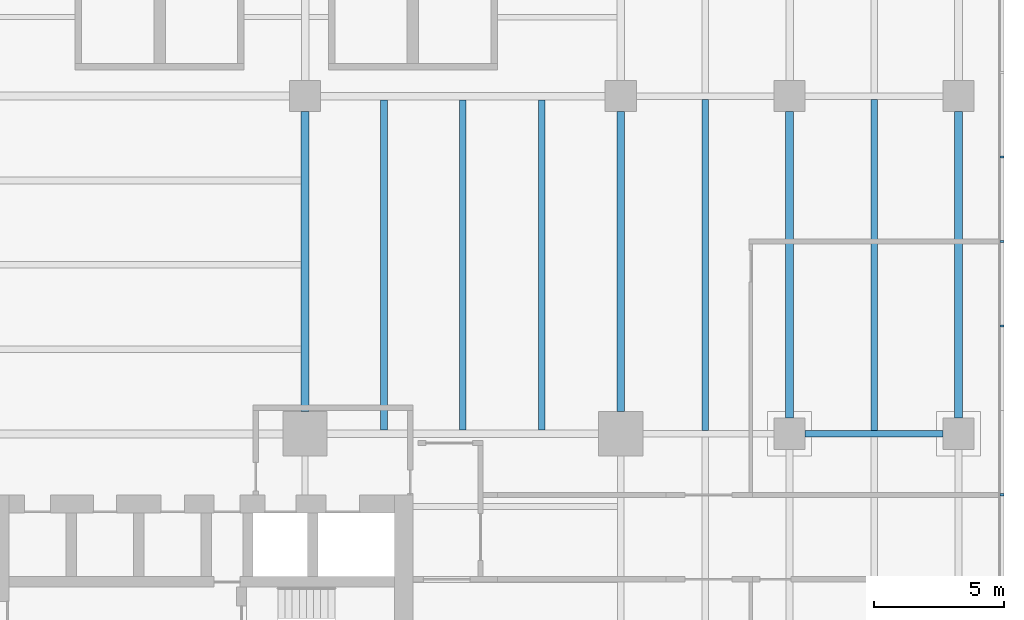
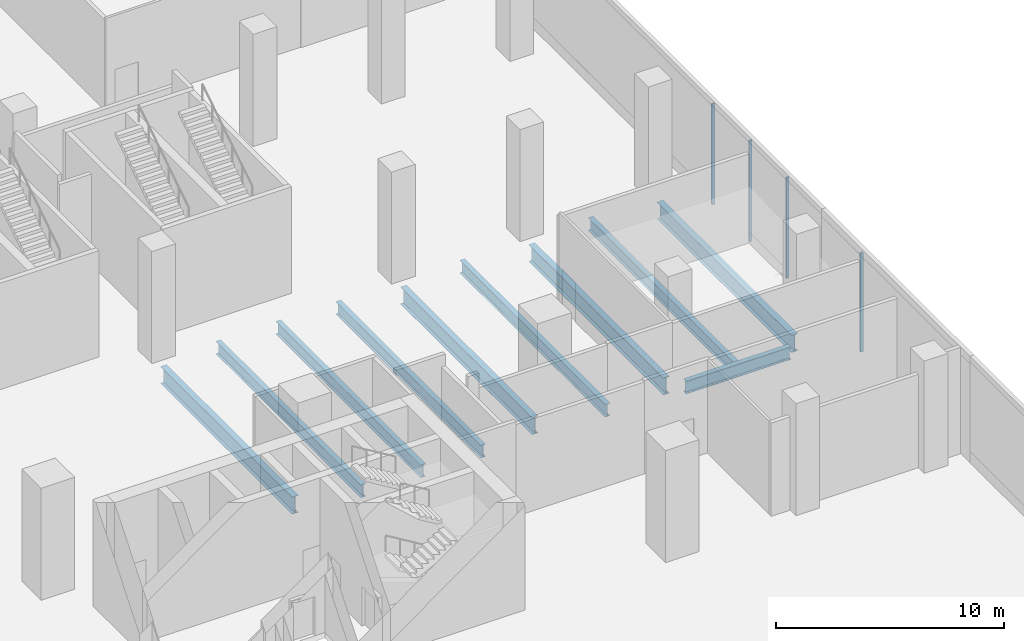
# One storey, part 18 of 41: 10 beams, 4 members, 2 elements without a shape of their own.
"""IFC4 building model written with IfcOpenShell, lengths in metres."""

from ifc_helpers import new_model, si_unit, direction, frame, origin, origin_2d, place, context, subcontext, project, spatial, rectangle, i_section, extrude, source, transform, mapped, material, layer, layer_set, material_profile, profile_set, type_object, element, aggregate, save


model = new_model("IFC4")

# Units and contexts
model_context = context("Model", 3, precision=1e-05, world=origin(), true_north=direction((0.0, 1.0)))
body_context = subcontext(model_context, "Body", "Model", "MODEL_VIEW")
ifc_project = project(units=[si_unit("LENGTHUNIT", "METRE"), si_unit("AREAUNIT", "SQUARE_METRE"), si_unit("VOLUMEUNIT", "CUBIC_METRE"), si_unit("PLANEANGLEUNIT", "RADIAN"), si_unit("MASSUNIT", "GRAM", prefix="KILO")], contexts=[model_context])

# Site, building, storey
site_placement = place(None, origin())
site = spatial("IfcSite", under=ifc_project, at=site_placement, CompositionType="ELEMENT")
building_placement = place(site_placement, origin())
building = spatial("IfcBuilding", under=site, at=building_placement, Name="Trellis Farm Tower", CompositionType="ELEMENT")
storey_placement = place(building_placement, frame((0.0, 0.0, 8.0)))
storey = spatial("IfcBuildingStorey", under=building, at=storey_placement, Name="L01", CompositionType="ELEMENT", Elevation=8.0)

# Beams
ifc_material_1 = material(Name="Steel S355", Category="steel")
ifc_material_profile_1 = material_profile(ifc_material_1, i_section(OverallWidth=0.253662109375, OverallDepth=0.68359375, WebThickness=0.012451171875, FlangeThickness=0.021728515625, FilletRadius=0.01513671875, at=origin_2d()), Name="UB 686x254x140")
ifc_profile_set_1 = profile_set([ifc_material_profile_1], Name="Steel S355")
beam_type_1 = type_object("IfcBeamType", Name="UB 686x254x140", PredefinedType="BEAM", material=ifc_profile_set_1)
shared_shape_1 = source(origin(), body_context, "Body", "SweptSolid", [
    extrude(i_section(OverallWidth=0.253662109375, OverallDepth=0.68359375, WebThickness=0.012451171875, FlangeThickness=0.021728515625, FilletRadius=0.01513671875, at=origin_2d()), origin(), (0.0, 0.0, 1.0), 5.2998046875),
])
beam_placement = place(storey_placement, frame((37.85009765625, 5.60009765625, -0.641845703125), z_axis=(1.0, 0.0, 0.0), x_axis=(0.0, 1.0, 0.0)))
element("IfcBeam", 1, at=beam_placement, inside=storey, type_object=beam_type_1, Name="Girder", PredefinedType="BEAM", context=body_context, shape_type="MappedRepresentation", body=[
    mapped(shared_shape_1, transform((0.0, 0.0, 0.0))),
])
ifc_material_profile_2 = material_profile(ifc_material_1, i_section(OverallWidth=0.305419921875, OverallDepth=0.91845703125, WebThickness=0.017333984375, FlangeThickness=0.02783203125, FilletRadius=0.01904296875, at=origin_2d()), Name="UB 914x305x253")
ifc_profile_set_2 = profile_set([ifc_material_profile_2], Name="Steel S355")
beam_type_2 = type_object("IfcBeamType", Name="UB 914x305x253", PredefinedType="BEAM", material=ifc_profile_set_2)
shared_shape_2 = source(origin(), body_context, "Body", "SweptSolid", [
    extrude(i_section(OverallWidth=0.305419921875, OverallDepth=0.91845703125, WebThickness=0.017333984375, FlangeThickness=0.02783203125, FilletRadius=0.01904296875, at=origin_2d()), origin(), (0.0, 0.0, 1.0), 11.800048828125),
])
for number, where, z_axis, x_axis, name in (
    (2, (37.25, 6.199951171875, -0.75927734375), (0.0, 1.0, 0.0), (-1.0, 0.0, 0.0), "Girder"),
    (3, (43.75, 6.199951171875, -0.75927734375), (0.0, 1.0, 0.0), (-1.0, 0.0, 0.0), "Girder"),
):
    element("IfcBeam", number, at=place(storey_placement, frame(where, z_axis=z_axis, x_axis=x_axis)), inside=storey, type_object=beam_type_2, Name=name, PredefinedType="BEAM", context=body_context, shape_type="MappedRepresentation", body=[
        mapped(shared_shape_2, transform((0.0, 0.0, 0.0))),
    ])
shared_shape_3 = source(origin(), body_context, "Body", "SweptSolid", [
    extrude(i_section(OverallWidth=0.305419921875, OverallDepth=0.91845703125, WebThickness=0.017333984375, FlangeThickness=0.02783203125, FilletRadius=0.01904296875, at=origin_2d()), origin(), (0.0, 0.0, 1.0), 11.550048828125),
])
for number, where, z_axis, x_axis, name in (
    (4, (18.60009765625, 6.449951171875, -0.75927734375), (0.0, 1.0, 0.0), (-1.0, 0.0, 0.0), "Girder"),
    (5, (30.75, 6.449951171875, -0.75927734375), (0.0, 1.0, 0.0), (-1.0, 0.0, 0.0), "Girder"),
):
    element("IfcBeam", number, at=place(storey_placement, frame(where, z_axis=z_axis, x_axis=x_axis)), inside=storey, type_object=beam_type_2, Name=name, PredefinedType="BEAM", context=body_context, shape_type="MappedRepresentation", body=[
        mapped(shared_shape_3, transform((0.0, 0.0, 0.0))),
    ])
ifc_material_profile_3 = material_profile(ifc_material_1, i_section(OverallWidth=0.253662109375, OverallDepth=0.68359375, WebThickness=0.012451171875, FlangeThickness=0.021728515625, FilletRadius=0.01513671875, at=origin_2d()), Name="UB 686x254x140")
ifc_profile_set_3 = profile_set([ifc_material_profile_3], Name="Steel S355")
beam_type_3 = type_object("IfcBeamType", Name="UB 686x254x140 joist", PredefinedType="JOIST", material=ifc_profile_set_3)
shared_shape_4 = source(origin(), body_context, "Body", "SweptSolid", [
    extrude(i_section(OverallWidth=0.253662109375, OverallDepth=0.68359375, WebThickness=0.012451171875, FlangeThickness=0.021728515625, FilletRadius=0.01513671875, at=origin_2d()), origin(), (0.0, 0.0, 1.0), 12.746337890625),
])
for number, where, z_axis, x_axis, name in (
    (6, (34.0, 5.726806640625, -0.641845703125), (0.0, 1.0, 0.0), (-1.0, 0.0, 0.0), "Floor beam"),
    (7, (40.5, 5.726806640625, -0.641845703125), (0.0, 1.0, 0.0), (-1.0, 0.0, 0.0), "Floor beam"),
):
    element("IfcBeam", number, at=place(storey_placement, frame(where, z_axis=z_axis, x_axis=x_axis)), inside=storey, type_object=beam_type_3, Name=name, PredefinedType="JOIST", context=body_context, shape_type="MappedRepresentation", body=[
        mapped(shared_shape_4, transform((0.0, 0.0, 0.0))),
    ])
shared_shape_5 = source(origin(), body_context, "Body", "SweptSolid", [
    extrude(i_section(OverallWidth=0.253662109375, OverallDepth=0.68359375, WebThickness=0.012451171875, FlangeThickness=0.021728515625, FilletRadius=0.01513671875, at=origin_2d()), origin(), (0.0, 0.0, 1.0), 12.707763671875),
])
for number, where, z_axis, x_axis, name in (
    (8, (21.637451171875, 5.74609375, -0.641845703125), (0.0, 1.0, 0.0), (-1.0, 0.0, 0.0), "Floor beam"),
    (9, (24.675048828125, 5.74609375, -0.641845703125), (0.0, 1.0, 0.0), (-1.0, 0.0, 0.0), "Floor beam"),
    (10, (27.71240234375, 5.74609375, -0.641845703125), (0.0, 1.0, 0.0), (-1.0, 0.0, 0.0), "Floor beam"),
):
    element("IfcBeam", number, at=place(storey_placement, frame(where, z_axis=z_axis, x_axis=x_axis)), inside=storey, type_object=beam_type_3, Name=name, PredefinedType="JOIST", context=body_context, shape_type="MappedRepresentation", body=[
        mapped(shared_shape_5, transform((0.0, 0.0, 0.0))),
    ])

# Curtain wall, members
ifc_material_2 = material(Name="Aluminium and glass curtain wall", Category="aluminium")
ifc_layer_1 = layer(ifc_material_2, 0.201904296875)
ifc_layer_set_1 = layer_set([ifc_layer_1], Name="SHOPFRONT CURTAIN WALL CW2")
curtain_wall_type_1 = type_object("IfcCurtainWallType", Name="SHOPFRONT CURTAIN WALL CW2", PredefinedType="NOTDEFINED", material=ifc_layer_set_1)
placement = place(storey_placement, origin())
curtain_wall_1 = element("IfcCurtainWall", 11, at=placement, inside=storey, type_object=curtain_wall_type_1, Name="CW2 002", PredefinedType="NOTDEFINED")
ifc_material_3 = material(Name="Aluminium extrusion 6063-T6", Category="aluminium")
ifc_material_profile_4 = material_profile(ifc_material_3, rectangle(XDim=0.080078125, YDim=0.14990234375, at=origin_2d()), Name="MULLION 80x150")
ifc_profile_set_4 = profile_set([ifc_material_profile_4], Name="Aluminium extrusion 6063-T6")
member_type_1 = type_object("IfcMemberType", Name="CW2 MULLION 80x150", PredefinedType="MULLION", material=ifc_profile_set_4)
shared_shape_6 = source(origin(), body_context, "Body", "SweptSolid", [
    extrude(rectangle(XDim=0.080078125, YDim=0.14990234375, at=origin_2d()), origin(), (0.0, 0.0, 1.0), 5.39990234375),
])
member_1_placement = place(storey_placement, frame((45.425048828125, 9.75, 0.0), z_axis=(0.0, 0.0, 1.0), x_axis=(0.0, 1.0, 0.0)))
member_1 = element("IfcMember", 12, at=member_1_placement, type_object=member_type_1, Name="MU2 002-01", PredefinedType="MULLION", context=body_context, shape_type="MappedRepresentation", body=[
    mapped(shared_shape_6, transform((0.0, 0.0, 0.0))),
])
member_2_placement = place(storey_placement, frame((45.425048828125, 13.0, 0.0), z_axis=(0.0, 0.0, 1.0), x_axis=(0.0, 1.0, 0.0)))
member_2 = element("IfcMember", 13, at=member_2_placement, type_object=member_type_1, Name="MU2 002-02", PredefinedType="MULLION", context=body_context, shape_type="MappedRepresentation", body=[
    mapped(shared_shape_6, transform((0.0, 0.0, 0.0))),
])
member_3_placement = place(storey_placement, frame((45.425048828125, 16.25, 0.0), z_axis=(0.0, 0.0, 1.0), x_axis=(0.0, 1.0, 0.0)))
member_3 = element("IfcMember", 14, at=member_3_placement, type_object=member_type_1, Name="MU2 002-03", PredefinedType="MULLION", context=body_context, shape_type="MappedRepresentation", body=[
    mapped(shared_shape_6, transform((0.0, 0.0, 0.0))),
])
aggregate(curtain_wall_1, [member_1, member_2, member_3])

# Curtain wall, member
ifc_layer_2 = layer(ifc_material_2, 0.2099609375)
ifc_layer_set_2 = layer_set([ifc_layer_2], Name="LOBBY CURTAIN WALL CW4")
curtain_wall_type_2 = type_object("IfcCurtainWallType", Name="LOBBY CURTAIN WALL CW4", PredefinedType="NOTDEFINED", material=ifc_layer_set_2)
curtain_wall_2 = element("IfcCurtainWall", 15, at=placement, inside=storey, type_object=curtain_wall_type_2, Name="CW4 001", PredefinedType="NOTDEFINED")
ifc_material_profile_5 = material_profile(ifc_material_3, rectangle(XDim=0.10009765625, YDim=0.14990234375, at=origin_2d()), Name="MULLION 100x150")
ifc_profile_set_5 = profile_set([ifc_material_profile_5], Name="Aluminium extrusion 6063-T6")
member_type_2 = type_object("IfcMemberType", Name="CW4 MULLION 100x150", PredefinedType="MULLION", material=ifc_profile_set_5)
shared_shape_7 = source(origin(), body_context, "Body", "SweptSolid", [
    extrude(rectangle(XDim=0.10009765625, YDim=0.14990234375, at=origin_2d()), origin(), (0.0, 0.0, 1.0), 5.300048828125),
])
member_4_placement = place(storey_placement, frame((45.425048828125, 3.25, 0.0), z_axis=(0.0, 0.0, 1.0), x_axis=(0.0, 1.0, 0.0)))
member_4 = element("IfcMember", 16, at=member_4_placement, type_object=member_type_2, Name="MU4 001-03", PredefinedType="MULLION", context=body_context, shape_type="MappedRepresentation", body=[
    mapped(shared_shape_7, transform((0.0, 0.0, 0.0))),
])
aggregate(curtain_wall_2, [member_4])

save(model, "model.ifc")
